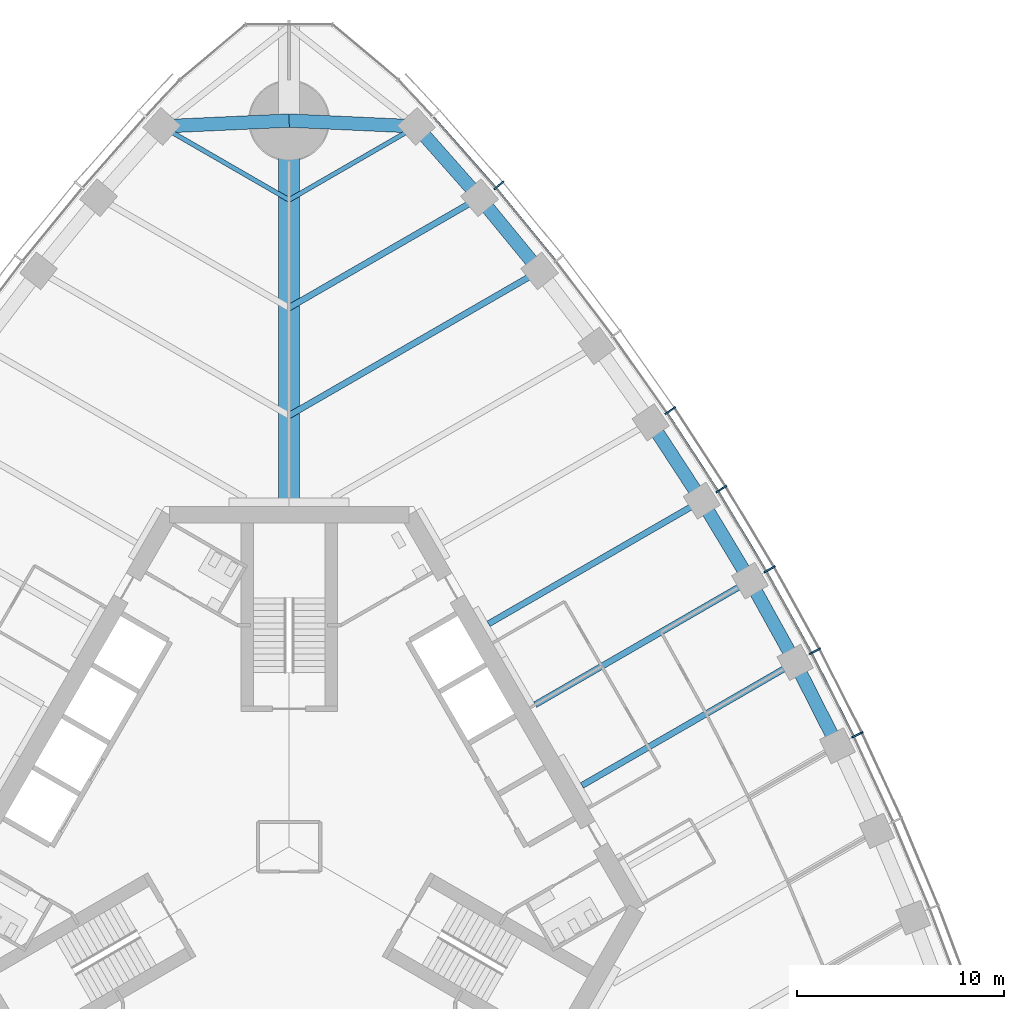
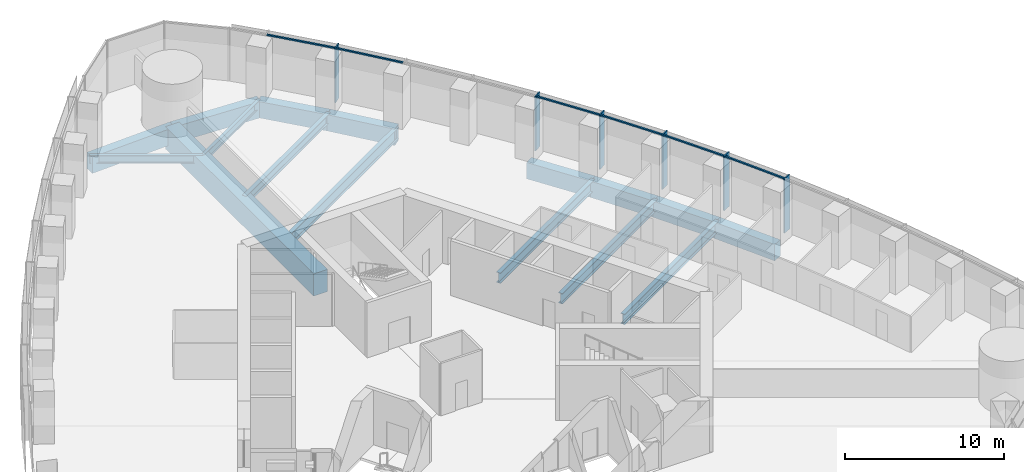
# One storey, part 6 of 19: 16 beams, 12 members, 1 element without a shape of its own.
"""IFC4 building model written with IfcOpenShell, lengths in metres."""

from ifc_helpers import new_model, si_unit, direction, frame, origin, origin_2d, place, context, subcontext, project, spatial, rectangle, i_section, extrude, material, material_profile, profile_set, type_object, element, aggregate, save


model = new_model("IFC4")

# Units and contexts
model_context = context("Model", 3, precision=1e-05, world=origin(), true_north=direction((0.0, 1.0)))
body_context = subcontext(model_context, "Body", "Model", "MODEL_VIEW")
ifc_project = project(units=[si_unit("LENGTHUNIT", "METRE"), si_unit("AREAUNIT", "SQUARE_METRE"), si_unit("VOLUMEUNIT", "CUBIC_METRE"), si_unit("PLANEANGLEUNIT", "RADIAN"), si_unit("MASSUNIT", "GRAM", prefix="KILO")], contexts=[model_context])

# Site, building, storey
site_placement = place(None, origin())
site = spatial("IfcSite", under=ifc_project, at=site_placement, CompositionType="ELEMENT")
building_placement = place(site_placement, origin())
building = spatial("IfcBuilding", under=site, at=building_placement, Name="Trefoil Bronze Tower", CompositionType="ELEMENT")
storey_placement = place(building_placement, frame((0.0, 0.0, 124.10009765625)))
storey = spatial("IfcBuildingStorey", under=building, at=storey_placement, Name="L28", CompositionType="ELEMENT", Elevation=124.10009765625)

# Curtain wall, members
ifc_material_1 = material(Name="Tinted solar-control glass", Category="glass")
curtain_wall_type = type_object("IfcCurtainWallType", Name="Bronze office curtain wall", PredefinedType="USERDEFINED", material=ifc_material_1)
curtain_wall_placement = place(storey_placement, origin())
curtain_wall = element("IfcCurtainWall", 1, at=curtain_wall_placement, inside=storey, type_object=curtain_wall_type, Name="CW-A L28 F2", ObjectType="CURTAIN WALL", PredefinedType="USERDEFINED")
ifc_material_2 = material(Name="Bronze-finish aluminium", Category="aluminium")
ifc_material_profile_1 = material_profile(ifc_material_2, rectangle(XDim=0.60009765625, YDim=0.080078125, at=origin_2d()), Name="CW-A mullion")
ifc_profile_set_1 = profile_set([ifc_material_profile_1], Name="Bronze-finish aluminium")
member_type_1 = type_object("IfcMemberType", Name="Bronze office curtain wall mullion", PredefinedType="MULLION", material=ifc_profile_set_1)
member_1_placement = place(storey_placement, frame((27.394775390625, 5.399169921875, 0.0), z_axis=(0.0, 0.0, 1.0), x_axis=(-0.899819602033, -0.436262173236, 0.0)))
member_1 = element("IfcMember", 2, at=member_1_placement, type_object=member_type_1, Name="CW-A L28 F2 mullion 6", PredefinedType="MULLION", context=body_context, shape_type="SweptSolid", body=[
    extrude(rectangle(XDim=0.60009765625, YDim=0.080078125, at=origin_2d()), origin(), (0.0, 0.0, 1.0), 4.179931640625),
])
member_2_placement = place(storey_placement, frame((25.350830078125, 9.427734375, 0.0), z_axis=(0.0, 0.0, 1.0), x_axis=(-0.883486441467, -0.468456729853, 0.0)))
member_2 = element("IfcMember", 3, at=member_2_placement, type_object=member_type_1, Name="CW-A L28 F2 mullion 7", PredefinedType="MULLION", context=body_context, shape_type="SweptSolid", body=[
    extrude(rectangle(XDim=0.60009765625, YDim=0.080078125, at=origin_2d()), origin(), (0.0, 0.0, 1.0), 4.179931640625),
])
member_3_placement = place(storey_placement, frame((23.166015625, 13.374755859375, 0.0), z_axis=(0.0, 0.0, 1.0), x_axis=(-0.866025403784, -0.5, 0.0)))
member_3 = element("IfcMember", 4, at=member_3_placement, type_object=member_type_1, Name="CW-A L28 F2 mullion 8", PredefinedType="MULLION", context=body_context, shape_type="SweptSolid", body=[
    extrude(rectangle(XDim=0.60009765625, YDim=0.080078125, at=origin_2d()), origin(), (0.0, 0.0, 1.0), 4.179931640625),
])
member_4_placement = place(storey_placement, frame((20.840087890625, 17.24072265625, 0.0), z_axis=(0.0, 0.0, 1.0), x_axis=(-0.84743864936, -0.530893337283, 0.0)))
member_4 = element("IfcMember", 5, at=member_4_placement, type_object=member_type_1, Name="CW-A L28 F2 mullion 9", PredefinedType="MULLION", context=body_context, shape_type="SweptSolid", body=[
    extrude(rectangle(XDim=0.60009765625, YDim=0.080078125, at=origin_2d()), origin(), (0.0, 0.0, 1.0), 4.179931640625),
])
member_5_placement = place(storey_placement, frame((18.373046875, 21.025146484375, 0.0), z_axis=(0.0, 0.0, 1.0), x_axis=(-0.827723925749, -0.561135547566, 0.0)))
member_5 = element("IfcMember", 6, at=member_5_placement, type_object=member_type_1, Name="CW-A L28 F2 mullion 10", PredefinedType="MULLION", context=body_context, shape_type="SweptSolid", body=[
    extrude(rectangle(XDim=0.60009765625, YDim=0.080078125, at=origin_2d()), origin(), (0.0, 0.0, 1.0), 4.179931640625),
])
member_6_placement = place(storey_placement, frame((10.11474609375, 31.8828125, 0.0), z_axis=(0.0, 0.0, 1.0), x_axis=(-0.761721651066, -0.647904411389, 0.0)))
member_6 = element("IfcMember", 7, at=member_6_placement, type_object=member_type_1, Name="CW-A L28 F2 mullion 13", PredefinedType="MULLION", context=body_context, shape_type="SweptSolid", body=[
    extrude(rectangle(XDim=0.60009765625, YDim=0.080078125, at=origin_2d()), origin(), (0.0, 0.0, 1.0), 4.179931640625),
])
ifc_material_3 = material(Name="Bronze-finish aluminium", Category="aluminium")
ifc_material_profile_2 = material_profile(ifc_material_3, rectangle(XDim=0.1201171875, YDim=0.10009765625, at=origin_2d()), Name="CW-A transom")
ifc_profile_set_2 = profile_set([ifc_material_profile_2], Name="Bronze-finish aluminium")
member_type_2 = type_object("IfcMemberType", Name="Bronze office curtain wall transom", PredefinedType="USERDEFINED", material=ifc_profile_set_2)
member_7_placement = place(storey_placement, frame((27.196044921875, 5.34912109375, 4.1298828125), z_axis=(-0.452478489814, 0.891775317138, 0.0), x_axis=(-0.891775317138, -0.452478489814, 0.0)))
member_7 = element("IfcMember", 8, at=member_7_placement, type_object=member_type_2, Name="CW-A L28 F2 transom 6", ObjectType="TRANSOM", PredefinedType="USERDEFINED", context=body_context, shape_type="SweptSolid", body=[
    extrude(rectangle(XDim=0.1201171875, YDim=0.10009765625, at=origin_2d()), origin(), (0.0, 0.0, 1.0), 4.426513671875),
])
member_8_placement = place(storey_placement, frame((25.154052734375, 9.37060546875, 4.1298828125), z_axis=(-0.484329470343, 0.874885686337, 0.0), x_axis=(-0.874885686337, -0.484329470343, 0.0)))
member_8 = element("IfcMember", 9, at=member_8_placement, type_object=member_type_2, Name="CW-A L28 F2 transom 7", ObjectType="TRANSOM", PredefinedType="USERDEFINED", context=body_context, shape_type="SweptSolid", body=[
    extrude(rectangle(XDim=0.1201171875, YDim=0.10009765625, at=origin_2d()), origin(), (0.0, 0.0, 1.0), 4.4208984375),
])
member_9_placement = place(storey_placement, frame((22.97119140625, 13.310546875, 4.1298828125), z_axis=(-0.515526794174, 0.856873458854, 0.0), x_axis=(-0.856873458854, -0.515526794174, 0.0)))
member_9 = element("IfcMember", 10, at=member_9_placement, type_object=member_type_2, Name="CW-A L28 F2 transom 8", ObjectType="TRANSOM", PredefinedType="USERDEFINED", context=body_context, shape_type="SweptSolid", body=[
    extrude(rectangle(XDim=0.1201171875, YDim=0.10009765625, at=origin_2d()), origin(), (0.0, 0.0, 1.0), 4.4208984375),
])
member_10_placement = place(storey_placement, frame((20.647705078125, 17.16943359375, 4.1298828125), z_axis=(-0.546079336226, 0.837733465099, 0.0), x_axis=(-0.837733465099, -0.546079336226, 0.0)))
member_10 = element("IfcMember", 11, at=member_10_placement, type_object=member_type_2, Name="CW-A L28 F2 transom 9", ObjectType="TRANSOM", PredefinedType="USERDEFINED", context=body_context, shape_type="SweptSolid", body=[
    extrude(rectangle(XDim=0.1201171875, YDim=0.10009765625, at=origin_2d()), origin(), (0.0, 0.0, 1.0), 4.426513671875),
])
member_11_placement = place(storey_placement, frame((12.82861328125, 28.255615234375, 4.1298828125), z_axis=(-0.633848872297, 0.773456919995, 0.0), x_axis=(-0.773456919995, -0.633848872297, 0.0)))
member_11 = element("IfcMember", 12, at=member_11_placement, type_object=member_type_2, Name="CW-A L28 F2 transom 12", ObjectType="TRANSOM", PredefinedType="USERDEFINED", context=body_context, shape_type="SweptSolid", body=[
    extrude(rectangle(XDim=0.1201171875, YDim=0.10009765625, at=origin_2d()), origin(), (0.0, 0.0, 1.0), 4.480224609375),
])
member_12_placement = place(storey_placement, frame((9.9345703125, 31.78466796875, 4.1298828125), z_axis=(-0.66173618877, 0.749736764786, 0.0), x_axis=(-0.749736764786, -0.66173618877, 0.0)))
member_12 = element("IfcMember", 13, at=member_12_placement, type_object=member_type_2, Name="CW-A L28 F2 transom 13", ObjectType="TRANSOM", PredefinedType="USERDEFINED", context=body_context, shape_type="SweptSolid", body=[
    extrude(rectangle(XDim=0.1201171875, YDim=0.10009765625, at=origin_2d()), origin(), (0.0, 0.0, 1.0), 4.510986328125),
])
aggregate(curtain_wall, [member_1, member_2, member_3, member_4, member_5, member_6, member_7, member_8, member_9, member_10, member_11, member_12])

# Beams
ifc_material_4 = material(Name="Concrete B80", Category="concrete")
ifc_material_profile_3 = material_profile(ifc_material_4, rectangle(XDim=1.0, YDim=1.699951171875, at=origin_2d()), Name="RC 1000x1700")
ifc_profile_set_3 = profile_set([ifc_material_profile_3], Name="Concrete B80")
beam_type_1 = type_object("IfcBeamType", Name="Corner girder RC 1000x1700", PredefinedType="BEAM", material=ifc_profile_set_3)
beam_1_placement = place(storey_placement, frame((0.0, 16.39990234375, -1.050048828125), z_axis=(0.0, 1.0, 0.0), x_axis=(-1.0, 0.0, 0.0)))
element("IfcBeam", 14, at=beam_1_placement, inside=storey, type_object=beam_type_1, Name="Corner girder K2 L28", PredefinedType="BEAM", context=body_context, shape_type="SweptSolid", body=[
    extrude(rectangle(XDim=1.0, YDim=1.699951171875, at=origin_2d()), origin(), (0.0, 0.0, 1.0), 18.60009765625),
])
ifc_material_5 = material(Name="Concrete B80", Category="concrete")
ifc_material_profile_4 = material_profile(ifc_material_5, rectangle(XDim=0.64990234375, YDim=1.25, at=origin_2d()), Name="RC 650x1250")
ifc_profile_set_4 = profile_set([ifc_material_profile_4], Name="Concrete B80")
beam_type_2 = type_object("IfcBeamType", Name="End spandrel beam RC 650x1250", PredefinedType="SPANDREL", material=ifc_profile_set_4)
for number, where, z_axis, x_axis, name in (
    (15, (6.13916015625, 34.72119140625, -0.8251953125), (-0.998970341464, 0.045368015985, 0.0), (-0.045368015985, -0.998970341464, 0.0), "Spandrel F2.14 L28"),
    (16, (0.0, 35.0, -0.8251953125), (-0.998970341464, -0.045368015985, 0.0), (0.045368015985, -0.998970341464, 0.0), "Spandrel F3.1 L28"),
):
    element("IfcBeam", number, at=place(storey_placement, frame(where, z_axis=z_axis, x_axis=x_axis)), inside=storey, type_object=beam_type_2, Name=name, PredefinedType="SPANDREL", context=body_context, shape_type="SweptSolid", body=[
        extrude(rectangle(XDim=0.64990234375, YDim=1.25, at=origin_2d()), origin(), (0.0, 0.0, 1.0), 6.1455078125),
    ])
ifc_material_6 = material(Name="Steel C355", Category="steel")
ifc_material_profile_5 = material_profile(ifc_material_6, i_section(OverallWidth=0.300048828125, OverallDepth=0.699951171875, WebThickness=0.01708984375, FlangeThickness=0.031982421875, FilletRadius=0.027099609375, at=origin_2d()), Name="HEB 700")
ifc_profile_set_5 = profile_set([ifc_material_profile_5], Name="Steel C355")
beam_type_3 = type_object("IfcBeamType", Name="Floor beam HEB 700", PredefinedType="BEAM", material=ifc_profile_set_5)
beam_2_placement = place(storey_placement, frame((9.181884765625, 31.281982421875, -0.550048828125), z_axis=(-0.866021079084, -0.500007490527, 0.0), x_axis=(0.500007490527, -0.866021079084, 0.0)))
element("IfcBeam", 17, at=beam_2_placement, inside=storey, type_object=beam_type_3, Name="Floor beam F2/+5 L28", PredefinedType="BEAM", context=body_context, shape_type="SweptSolid", body=[
    extrude(i_section(OverallWidth=0.300048828125, OverallDepth=0.699951171875, WebThickness=0.01708984375, FlangeThickness=0.031982421875, FilletRadius=0.027099609375, at=origin_2d()), origin(), (0.0, 0.0, 1.0), 10.602294921875),
])
ifc_material_7 = material(Name="Steel C355", Category="steel")
ifc_material_profile_6 = material_profile(ifc_material_7, i_section(OverallWidth=0.300048828125, OverallDepth=0.800048828125, WebThickness=0.017578125, FlangeThickness=0.032958984375, FilletRadius=0.030029296875, at=origin_2d()), Name="HEB 800")
ifc_profile_set_6 = profile_set([ifc_material_profile_6], Name="Steel C355")
beam_type_4 = type_object("IfcBeamType", Name="Floor beam HEB 800", PredefinedType="BEAM", material=ifc_profile_set_6)
beam_3_placement = place(storey_placement, frame((24.392578125, 8.886962890625, -0.60009765625), z_axis=(-0.866024236736, -0.500002021381, 0.0), x_axis=(0.500002021381, -0.866024236736, 0.0)))
element("IfcBeam", 18, at=beam_3_placement, inside=storey, type_object=beam_type_4, Name="Floor beam F2/-1 L28", PredefinedType="BEAM", context=body_context, shape_type="SweptSolid", body=[
    extrude(i_section(OverallWidth=0.300048828125, OverallDepth=0.800048828125, WebThickness=0.017578125, FlangeThickness=0.032958984375, FilletRadius=0.030029296875, at=origin_2d()), origin(), (0.0, 0.0, 1.0), 11.8681640625),
])
beam_4_placement = place(storey_placement, frame((22.21337890625, 12.824951171875, -0.60009765625), z_axis=(-0.866028062731, -0.499995394541, 0.0), x_axis=(0.499995394541, -0.866028062731, 0.0)))
element("IfcBeam", 19, at=beam_4_placement, inside=storey, type_object=beam_type_4, Name="Floor beam F2/+0 L28", PredefinedType="BEAM", context=body_context, shape_type="SweptSolid", body=[
    extrude(i_section(OverallWidth=0.300048828125, OverallDepth=0.800048828125, WebThickness=0.017578125, FlangeThickness=0.032958984375, FilletRadius=0.030029296875, at=origin_2d()), origin(), (0.0, 0.0, 1.0), 11.94970703125),
])
beam_5_placement = place(storey_placement, frame((19.892578125, 16.68115234375, -0.60009765625), z_axis=(-0.866024236736, -0.500002021381, 0.0), x_axis=(0.500002021381, -0.866024236736, 0.0)))
element("IfcBeam", 20, at=beam_5_placement, inside=storey, type_object=beam_type_4, Name="Floor beam F2/+1 L28", PredefinedType="BEAM", context=body_context, shape_type="SweptSolid", body=[
    extrude(i_section(OverallWidth=0.300048828125, OverallDepth=0.800048828125, WebThickness=0.017578125, FlangeThickness=0.032958984375, FilletRadius=0.030029296875, at=origin_2d()), origin(), (0.0, 0.0, 1.0), 11.8681640625),
])
ifc_material_8 = material(Name="Steel C355", Category="steel")
ifc_material_profile_7 = material_profile(ifc_material_8, i_section(OverallWidth=0.300048828125, OverallDepth=0.89990234375, WebThickness=0.0185546875, FlangeThickness=0.034912109375, FilletRadius=0.030029296875, at=origin_2d()), Name="HEB 900")
ifc_profile_set_7 = profile_set([ifc_material_profile_7], Name="Steel C355")
beam_type_5 = type_object("IfcBeamType", Name="Floor beam HEB 900", PredefinedType="BEAM", material=ifc_profile_set_7)
beam_6_placement = place(storey_placement, frame((12.07666015625, 27.757080078125, -0.650146484375), z_axis=(-0.866026983775, -0.499997263366, 0.0), x_axis=(0.499997263366, -0.866026983775, 0.0)))
element("IfcBeam", 21, at=beam_6_placement, inside=storey, type_object=beam_type_5, Name="Floor beam F2/+4 L28", PredefinedType="BEAM", context=body_context, shape_type="SweptSolid", body=[
    extrude(i_section(OverallWidth=0.300048828125, OverallDepth=0.89990234375, WebThickness=0.0185546875, FlangeThickness=0.034912109375, FilletRadius=0.030029296875, at=origin_2d()), origin(), (0.0, 0.0, 1.0), 13.94482421875),
])
ifc_material_9 = material(Name="Steel C355", Category="steel")
ifc_material_profile_8 = material_profile(ifc_material_9, i_section(OverallWidth=0.219970703125, OverallDepth=0.60009765625, WebThickness=0.011962890625, FlangeThickness=0.01904296875, FilletRadius=0.02392578125, at=origin_2d()), Name="IPE 600")
ifc_profile_set_8 = profile_set([ifc_material_profile_8], Name="Steel C355")
beam_type_6 = type_object("IfcBeamType", Name="Floor beam IPE 600", PredefinedType="BEAM", material=ifc_profile_set_8)
for number, where, z_axis, x_axis, name in (
    (22, (6.13916015625, 34.72119140625, -0.5), (-0.866041060244, -0.499972881236, 0.0), (0.499972881236, -0.866041060244, 0.0), "Floor beam F2/+6 L28"),
    (23, (-6.13916015625, 34.72119140625, -0.5), (0.866041060244, -0.499972881236, 0.0), (0.499972881236, 0.866041060244, 0.0), "Floor beam F3/-6 L28"),
):
    element("IfcBeam", number, at=place(storey_placement, frame(where, z_axis=z_axis, x_axis=x_axis)), inside=storey, type_object=beam_type_6, Name=name, PredefinedType="BEAM", context=body_context, shape_type="SweptSolid", body=[
        extrude(i_section(OverallWidth=0.219970703125, OverallDepth=0.60009765625, WebThickness=0.011962890625, FlangeThickness=0.01904296875, FilletRadius=0.02392578125, at=origin_2d()), origin(), (0.0, 0.0, 1.0), 7.0888671875),
    ])
ifc_material_10 = material(Name="Concrete B80", Category="concrete")
ifc_material_profile_9 = material_profile(ifc_material_10, rectangle(XDim=0.64990234375, YDim=1.25, at=origin_2d()), Name="RC 650x1250")
ifc_profile_set_9 = profile_set([ifc_material_profile_9], Name="Concrete B80")
beam_type_7 = type_object("IfcBeamType", Name="Spandrel beam RC 650x1250", PredefinedType="SPANDREL", material=ifc_profile_set_9)
beam_7_placement = place(storey_placement, frame((26.43017578125, 4.8671875, -0.8251953125), z_axis=(-0.452125717735, 0.891954222683, 0.0), x_axis=(-0.891954222683, -0.452125717735, 0.0)))
element("IfcBeam", 24, at=beam_7_placement, inside=storey, type_object=beam_type_7, Name="Spandrel F2.6 L28", PredefinedType="SPANDREL", context=body_context, shape_type="SweptSolid", body=[
    extrude(rectangle(XDim=0.64990234375, YDim=1.25, at=origin_2d()), origin(), (0.0, 0.0, 1.0), 4.506591796875),
])
for number, where, z_axis, x_axis, name in (
    (25, (24.392578125, 8.886962890625, -0.8251953125), (-0.484186866546, 0.874964615436, 0.0), (-0.874964615436, -0.484186866546, 0.0), "Spandrel F2.7 L28"),
    (26, (22.21337890625, 12.824951171875, -0.8251953125), (-0.515651979972, 0.856798129988, 0.0), (-0.856798129988, -0.515651979972, 0.0), "Spandrel F2.8 L28"),
):
    element("IfcBeam", number, at=place(storey_placement, frame(where, z_axis=z_axis, x_axis=x_axis)), inside=storey, type_object=beam_type_7, Name=name, PredefinedType="SPANDREL", context=body_context, shape_type="SweptSolid", body=[
        extrude(rectangle(XDim=0.64990234375, YDim=1.25, at=origin_2d()), origin(), (0.0, 0.0, 1.0), 4.500732421875),
    ])
beam_8_placement = place(storey_placement, frame((19.892578125, 16.68115234375, -0.8251953125), z_axis=(-0.546396670296, 0.83752652417, 0.0), x_axis=(-0.83752652417, -0.546396670296, 0.0)))
element("IfcBeam", 27, at=beam_8_placement, inside=storey, type_object=beam_type_7, Name="Spandrel F2.9 L28", PredefinedType="SPANDREL", context=body_context, shape_type="SweptSolid", body=[
    extrude(rectangle(XDim=0.64990234375, YDim=1.25, at=origin_2d()), origin(), (0.0, 0.0, 1.0), 4.506591796875),
])
beam_9_placement = place(storey_placement, frame((12.07666015625, 27.757080078125, -0.8251953125), z_axis=(-0.634650386838, 0.772799383079, 0.0), x_axis=(-0.772799383079, -0.634650386838, 0.0)))
element("IfcBeam", 28, at=beam_9_placement, inside=storey, type_object=beam_type_7, Name="Spandrel F2.12 L28", PredefinedType="SPANDREL", context=body_context, shape_type="SweptSolid", body=[
    extrude(rectangle(XDim=0.64990234375, YDim=1.25, at=origin_2d()), origin(), (0.0, 0.0, 1.0), 4.561279296875),
])
beam_10_placement = place(storey_placement, frame((9.181884765625, 31.281982421875, -0.8251953125), z_axis=(-0.662616326239, 0.748959013699, 0.0), x_axis=(-0.748959013699, -0.662616326239, 0.0)))
element("IfcBeam", 29, at=beam_10_placement, inside=storey, type_object=beam_type_7, Name="Spandrel F2.13 L28", PredefinedType="SPANDREL", context=body_context, shape_type="SweptSolid", body=[
    extrude(rectangle(XDim=0.64990234375, YDim=1.25, at=origin_2d()), origin(), (0.0, 0.0, 1.0), 4.592041015625),
])

save(model, "model.ifc")
